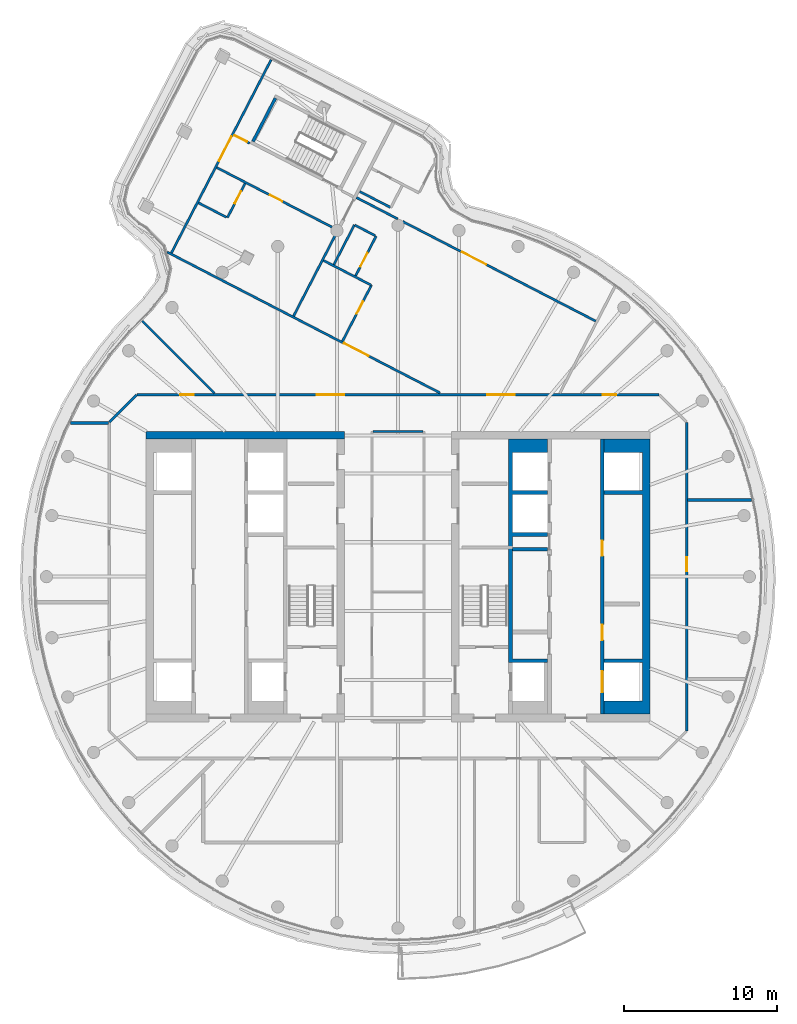
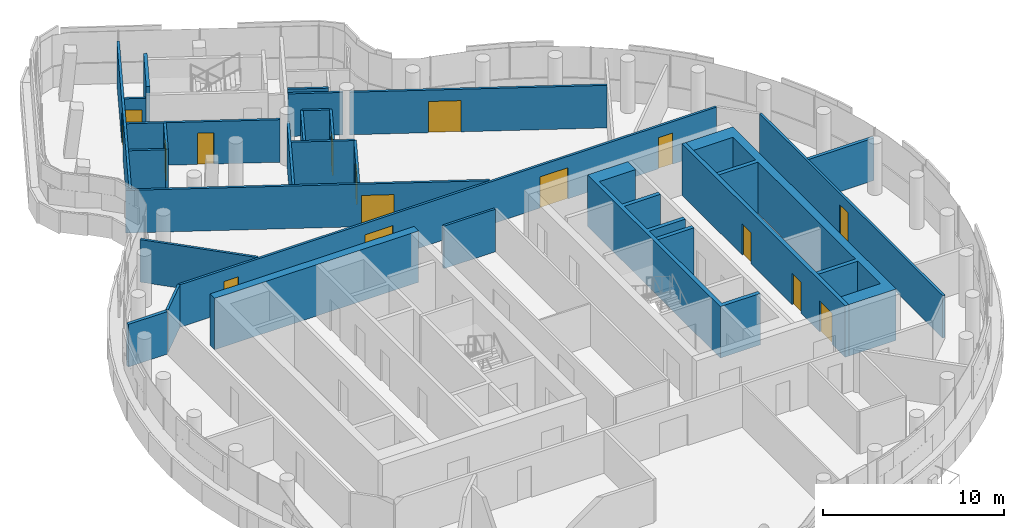
# One storey, part 15 of 21: 28 walls, 16 doors, 16 openings.
"""IFC4 building model written with IfcOpenShell, lengths in metres."""

from ifc_helpers import new_model, si_unit, direction, frame, frame_2d, origin, place, context, subcontext, project, spatial, polyline, rectangle, outline, extrude, material, layer, layer_set, type_object, element, fill, save


model = new_model("IFC4")

# Units and contexts
model_context = context("Model", 3, precision=1e-05, world=origin(), true_north=direction((0.0, 1.0)))
body_context = subcontext(model_context, "Body", "Model", "MODEL_VIEW")
ifc_project = project(units=[si_unit("LENGTHUNIT", "METRE"), si_unit("AREAUNIT", "SQUARE_METRE"), si_unit("VOLUMEUNIT", "CUBIC_METRE"), si_unit("PLANEANGLEUNIT", "RADIAN"), si_unit("MASSUNIT", "GRAM", prefix="KILO")], contexts=[model_context])

# Site, building, storey
site_placement = place(None, origin())
site = spatial("IfcSite", under=ifc_project, at=site_placement, CompositionType="ELEMENT")
building_placement = place(site_placement, origin())
building = spatial("IfcBuilding", under=site, at=building_placement, Name="Tamarind Cross Interchange Tower", CompositionType="ELEMENT")
storey_placement = place(building_placement, frame((0.0, 0.0, 260.39990234375)))
storey = spatial("IfcBuildingStorey", under=building, at=storey_placement, Name="L66", CompositionType="ELEMENT", Elevation=260.39990234375)

# Walls
ifc_material_1 = material(Name="Concrete C50", Category="concrete")
ifc_layer_1 = layer(ifc_material_1, 0.5)
ifc_layer_set_1 = layer_set([ifc_layer_1], Name="Concrete C50")
wall_type_1 = type_object("IfcWallType", Name="Core wall 500 mm Concrete C50", PredefinedType="SHEAR", material=ifc_layer_set_1)
wall_1_placement = place(storey_placement, frame((-16.5, 9.25, 0.0), z_axis=(0.0, 0.0, 1.0), x_axis=(1.0, 0.0, 0.0)))
element("IfcWall", 1, at=wall_1_placement, inside=storey, type_object=wall_type_1, Name="Core wall CWL-L66-W-NE", PredefinedType="SHEAR", context=body_context, shape_type="SweptSolid", body=[
    extrude(rectangle(XDim=13.0, YDim=0.5, at=frame_2d((6.5, 0.0))), origin(), (0.0, 0.0, 1.0), 3.460205078125),
])
wall_2_placement = place(storey_placement, origin())
element("IfcWall", 2, at=wall_2_placement, inside=storey, type_object=wall_type_1, Name="Core wall CWL-L66-E-A", PredefinedType="SHEAR", context=body_context, shape_type="SweptSolid", body=[
    extrude(outline(polyline([(13.5, -8.125), (13.5, -9.0), (16.0, -9.0), (16.5, -9.0), (16.5, 9.0), (16.0, 9.0), (13.5, 9.0), (13.5, 8.125), (16.0, 8.125), (16.0, 5.625), (13.5, 5.625), (13.5, 5.375), (16.0, 5.375), (16.0, -5.375), (13.5, -5.375), (13.5, -5.625), (16.0, -5.625), (16.0, -8.125), (13.5, -8.125)])), origin(), (0.0, 0.0, 1.0), 3.460205078125),
])
ifc_layer_2 = layer(ifc_material_1, 0.25)
ifc_layer_set_2 = layer_set([ifc_layer_2], Name="Concrete C50")
wall_type_2 = type_object("IfcWallType", Name="Core web wall 250 mm Concrete C50", PredefinedType="SHEAR", material=ifc_layer_set_2)
wall_3_placement = place(storey_placement, origin())
element("IfcWall", 3, at=wall_3_placement, inside=storey, type_object=wall_type_2, Name="Core wall CWL-L66-E-BN", PredefinedType="SHEAR", context=body_context, shape_type="SweptSolid", body=[
    extrude(outline(polyline([(9.800048828125, -5.375), (7.5, -5.375), (7.5, 2.625), (9.800048828125, 2.625), (9.800048828125, 2.875), (7.5, 2.875), (7.5, 5.375), (9.800048828125, 5.375), (9.800048828125, 5.625), (7.5, 5.625), (7.5, 8.125), (9.800048828125, 8.125), (9.800048828125, 9.0), (7.5, 9.0), (7.25, 9.0), (7.25, -5.625), (7.5, -5.625), (9.800048828125, -5.625), (9.800048828125, -5.375)])), origin(), (0.0, 0.0, 1.0), 3.460205078125),
])

# Wall, openings, doors
wall_4_placement = place(storey_placement, frame((13.375, -9.0, 0.0), z_axis=(0.0, 0.0, 1.0), x_axis=(0.0, 1.0, 0.0)))
wall_4 = element("IfcWall", 4, at=wall_4_placement, inside=storey, type_object=wall_type_2, Name="Core wall CWL-L66-E-LA", PredefinedType="SHEAR", context=body_context, shape_type="SweptSolid", body=[
    extrude(rectangle(XDim=18.0, YDim=0.25, at=frame_2d((9.0, 0.0))), origin(), (0.0, 0.0, 1.0), 3.460205078125),
])
opening_1_placement = place(wall_4_placement, frame((1.425048828125, 0.0, 0.0)))
opening_1 = element("IfcOpeningElement", 5, at=opening_1_placement, cuts=wall_4, Name="Opening LD13L66", PredefinedType="OPENING", context=body_context, shape_type="SweptSolid", body=[
    extrude(rectangle(XDim=1.39990234375, YDim=2.10009765625, at=frame_2d((0.699951171875, 1.050048828125))), frame((0.0, 0.135009765625, 0.0), z_axis=(0.0, -1.0, 0.0), x_axis=(1.0, 0.0, 0.0)), (0.0, 0.0, 1.0), 0.27001953125),
])
opening_2_placement = place(wall_4_placement, frame((4.85400390625, 0.0, 0.0)))
opening_2 = element("IfcOpeningElement", 6, at=opening_2_placement, cuts=wall_4, Name="Opening DCE9", PredefinedType="OPENING", context=body_context, shape_type="SweptSolid", body=[
    extrude(rectangle(XDim=1.0, YDim=2.10009765625, at=frame_2d((0.5, 1.050048828125))), frame((0.0, 0.135009765625, 0.0), z_axis=(0.0, -1.0, 0.0), x_axis=(1.0, 0.0, 0.0)), (0.0, 0.0, 1.0), 0.27001953125),
])
opening_3_placement = place(wall_4_placement, frame((10.35400390625, 0.0, 0.0)))
opening_3 = element("IfcOpeningElement", 7, at=opening_3_placement, cuts=wall_4, Name="Opening DCE10", PredefinedType="OPENING", context=body_context, shape_type="SweptSolid", body=[
    extrude(rectangle(XDim=1.0, YDim=2.10009765625, at=frame_2d((0.5, 1.050048828125))), frame((0.0, 0.135009765625, 0.0), z_axis=(0.0, -1.0, 0.0), x_axis=(1.0, 0.0, 0.0)), (0.0, 0.0, 1.0), 0.27001953125),
])
ifc_material_2 = material(Name="Steel, fire-resisting", Category="steel")
door_type_1 = type_object("IfcDoorType", Name="Core fire door 1000 x 2100 FD90", OperationType="SINGLE_SWING_LEFT", PredefinedType="DOOR", material=ifc_material_2)
door_1_placement = place(opening_2_placement, origin())
door_1 = element("IfcDoor", 8, at=door_1_placement, inside=storey, type_object=door_type_1, Name="L66 Hotel pantry door", OperationType="SINGLE_SWING_LEFT", OverallHeight=2.10009765625, OverallWidth=1.0, PredefinedType="DOOR", context=body_context, shape_type="SweptSolid", body=[
    extrude(rectangle(XDim=1.0, YDim=2.10009765625, at=frame_2d((0.5, 1.050048828125))), frame((0.0, 0.02490234375, 0.0), z_axis=(0.0, -1.0, 0.0), x_axis=(1.0, 0.0, 0.0)), (0.0, 0.0, 1.0), 0.050048828125),
])
fill(opening_2, door_1)
door_2_placement = place(opening_3_placement, origin())
door_2 = element("IfcDoor", 9, at=door_2_placement, inside=storey, type_object=door_type_1, Name="L66 Staff changing room door", OperationType="SINGLE_SWING_LEFT", OverallHeight=2.10009765625, OverallWidth=1.0, PredefinedType="DOOR", context=body_context, shape_type="SweptSolid", body=[
    extrude(rectangle(XDim=1.0, YDim=2.10009765625, at=frame_2d((0.5, 1.050048828125))), frame((0.0, 0.02490234375, 0.0), z_axis=(0.0, -1.0, 0.0), x_axis=(1.0, 0.0, 0.0)), (0.0, 0.0, 1.0), 0.050048828125),
])
fill(opening_3, door_2)
ifc_material_3 = material(Name="Stainless steel panel", Category="steel")
door_type_2 = type_object("IfcDoorType", Name="Lift landing door 1400 x 2100 E 120", OperationType="SLIDING_TO_LEFT", PredefinedType="DOOR", material=ifc_material_3)
door_3_placement = place(opening_1_placement, origin())
door_3 = element("IfcDoor", 10, at=door_3_placement, inside=storey, type_object=door_type_2, Name="L66 landing door LF13", OperationType="SLIDING_TO_LEFT", OverallHeight=2.10009765625, OverallWidth=1.39990234375, PredefinedType="DOOR", context=body_context, shape_type="SweptSolid", body=[
    extrude(rectangle(XDim=1.39990234375, YDim=2.10009765625, at=frame_2d((0.699951171875, 1.050048828125))), frame((0.0, 0.02490234375, 0.0), z_axis=(0.0, -1.0, 0.0), x_axis=(1.0, 0.0, 0.0)), (0.0, 0.0, 1.0), 0.050048828125),
])
fill(opening_1, door_3)

# Wall
ifc_material_4 = material(Name="Gypsum board partition on steel studs", Category="steel")
ifc_layer_3 = layer(ifc_material_4, 0.14990234375)
ifc_layer_set_3 = layer_set([ifc_layer_3], Name="Gypsum board partition on steel studs")
wall_type_3 = type_object("IfcWallType", Name="Partition 150 mm EI 120", PredefinedType="PARTITIONING", material=ifc_layer_set_3)
wall_5_placement = place(storey_placement, frame((-16.740478515625, 16.740478515625, 0.0), z_axis=(0.0, 0.0, 1.0), x_axis=(0.707106781187, -0.707106781187, 0.0)))
element("IfcWall", 11, at=wall_5_placement, inside=storey, type_object=wall_type_3, Name="Partition L66-002", PredefinedType="PARTITIONING", context=body_context, shape_type="SweptSolid", body=[
    extrude(rectangle(XDim=6.690673828125, YDim=0.14990234375, at=frame_2d((3.34521484375, 0.0))), origin(), (0.0, 0.0, 1.0), 2.864013671875),
])

# Wall, opening, door
wall_6_placement = place(storey_placement, frame((-15.098388671875, 21.24365234375, 0.0), z_axis=(0.0, 0.0, 1.0), x_axis=(0.888519040902, -0.458839747575, 0.0)))
wall_6 = element("IfcWall", 12, at=wall_6_placement, inside=storey, type_object=wall_type_3, Name="Partition L66-005", PredefinedType="PARTITIONING", context=body_context, shape_type="SweptSolid", body=[
    extrude(rectangle(XDim=20.093505859375, YDim=0.14990234375, at=frame_2d((10.046875, 0.0))), origin(), (0.0, 0.0, 1.0), 2.864013671875),
])
opening_4_placement = place(wall_6_placement, frame((13.017822265625, 0.0, 0.0)))
opening_4 = element("IfcOpeningElement", 13, at=opening_4_placement, cuts=wall_6, Name="Opening D01", PredefinedType="OPENING", context=body_context, shape_type="SweptSolid", body=[
    extrude(rectangle(XDim=1.800048828125, YDim=2.10009765625, at=frame_2d((0.89990234375, 1.050048828125))), frame((0.0, 0.0849609375, 0.0), z_axis=(0.0, -1.0, 0.0), x_axis=(1.0, 0.0, 0.0)), (0.0, 0.0, 1.0), 0.169921875),
])
ifc_material_5 = material(Name="Fire-resisting door set")
door_type_3 = type_object("IfcDoorType", Name="Interior door 1800 x 2100 FD60S", OperationType="DOUBLE_DOOR_SINGLE_SWING", PredefinedType="DOOR", material=ifc_material_5)
door_4_placement = place(opening_4_placement, origin())
door_4 = element("IfcDoor", 14, at=door_4_placement, inside=storey, type_object=door_type_3, Name="Door D01", OperationType="DOUBLE_DOOR_SINGLE_SWING", OverallHeight=2.10009765625, OverallWidth=1.800048828125, PredefinedType="DOOR", context=body_context, shape_type="SweptSolid", body=[
    extrude(rectangle(XDim=1.800048828125, YDim=2.10009765625, at=frame_2d((0.89990234375, 1.050048828125))), frame((0.0, 0.02490234375, 0.0), z_axis=(0.0, -1.0, 0.0), x_axis=(1.0, 0.0, 0.0)), (0.0, 0.0, 1.0), 0.050048828125),
])
fill(opening_4, door_4)

# Wall
wall_7_placement = place(storey_placement, frame((-13.05029296875, 24.462646484375, 0.0), z_axis=(0.0, 0.0, 1.0), x_axis=(0.888443709426, -0.458985593653, 0.0)))
element("IfcWall", 15, at=wall_7_placement, inside=storey, type_object=wall_type_3, Name="Partition L66-006", PredefinedType="PARTITIONING", context=body_context, shape_type="SweptSolid", body=[
    extrude(rectangle(XDim=2.050537109375, YDim=0.14990234375, at=frame_2d((1.025390625, 0.0))), origin(), (0.0, 0.0, 1.0), 2.864013671875),
])

# Wall, opening, door
wall_8_placement = place(storey_placement, frame((-11.857421875, 26.772705078125, 0.0), z_axis=(0.0, 0.0, 1.0), x_axis=(0.888435104215, -0.459002250102, 0.0)))
wall_8 = element("IfcWall", 16, at=wall_8_placement, inside=storey, type_object=wall_type_3, Name="Partition L66-007", PredefinedType="PARTITIONING", context=body_context, shape_type="SweptSolid", body=[
    extrude(rectangle(XDim=8.4794921875, YDim=0.14990234375, at=frame_2d((4.23974609375, 0.0))), origin(), (0.0, 0.0, 1.0), 2.864013671875),
])
opening_5_placement = place(wall_8_placement, frame((3.925537109375, 0.0, 0.0)))
opening_5 = element("IfcOpeningElement", 17, at=opening_5_placement, cuts=wall_8, Name="Opening D02", PredefinedType="OPENING", context=body_context, shape_type="SweptSolid", body=[
    extrude(rectangle(XDim=0.89990234375, YDim=2.10009765625, at=frame_2d((0.449951171875, 1.050048828125))), frame((0.0, 0.0849609375, 0.0), z_axis=(0.0, -1.0, 0.0), x_axis=(1.0, 0.0, 0.0)), (0.0, 0.0, 1.0), 0.169921875),
])
door_type_4 = type_object("IfcDoorType", Name="Interior door 900 x 2100 FD60S", OperationType="SINGLE_SWING_LEFT", PredefinedType="DOOR", material=ifc_material_5)
door_5_placement = place(opening_5_placement, frame((0.89990234375, 0.0, 0.0), z_axis=(0.0, 0.0, 1.0), x_axis=(-1.0, 0.0, 0.0)))
door_5 = element("IfcDoor", 18, at=door_5_placement, inside=storey, type_object=door_type_4, Name="Door D02", OperationType="SINGLE_SWING_RIGHT", OverallHeight=2.10009765625, OverallWidth=0.89990234375, PredefinedType="DOOR", context=body_context, shape_type="SweptSolid", body=[
    extrude(rectangle(XDim=0.89990234375, YDim=2.10009765625, at=frame_2d((0.449951171875, 1.050048828125))), frame((0.0, 0.02490234375, 0.0), z_axis=(0.0, -1.0, 0.0), x_axis=(1.0, 0.0, 0.0)), (0.0, 0.0, 1.0), 0.050048828125),
])
fill(opening_5, door_5)

wall_9_placement = place(storey_placement, frame((-10.75537109375, 28.904541015625, 0.0), z_axis=(0.0, 0.0, 1.0), x_axis=(0.888579996133, -0.458721691739, 0.0)))
wall_9 = element("IfcWall", 19, at=wall_9_placement, inside=storey, type_object=wall_type_3, Name="Partition L66-008", PredefinedType="PARTITIONING", context=body_context, shape_type="SweptSolid", body=[
    extrude(rectangle(XDim=1.18408203125, YDim=0.14990234375, at=frame_2d((0.592041015625, 0.0))), origin(), (0.0, 0.0, 1.0), 2.864013671875),
])
opening_6_placement = place(wall_9_placement, frame((0.074951171875, 0.0, 0.0)))
opening_6 = element("IfcOpeningElement", 20, at=opening_6_placement, cuts=wall_9, Name="Opening D03", PredefinedType="OPENING", context=body_context, shape_type="SweptSolid", body=[
    extrude(rectangle(XDim=0.89990234375, YDim=2.10009765625, at=frame_2d((0.449951171875, 1.050048828125))), frame((0.0, 0.0849609375, 0.0), z_axis=(0.0, -1.0, 0.0), x_axis=(1.0, 0.0, 0.0)), (0.0, 0.0, 1.0), 0.169921875),
])
door_6_placement = place(opening_6_placement, origin())
door_6 = element("IfcDoor", 21, at=door_6_placement, inside=storey, type_object=door_type_4, Name="Door D03", OperationType="SINGLE_SWING_RIGHT", OverallHeight=2.10009765625, OverallWidth=0.89990234375, PredefinedType="DOOR", context=body_context, shape_type="SweptSolid", body=[
    extrude(rectangle(XDim=0.89990234375, YDim=2.10009765625, at=frame_2d((0.449951171875, 1.050048828125))), frame((0.0, 0.02490234375, 0.0), z_axis=(0.0, -1.0, 0.0), x_axis=(1.0, 0.0, 0.0)), (0.0, 0.0, 1.0), 0.050048828125),
])
fill(opening_6, door_6)

# Walls
wall_10_placement = place(storey_placement, frame((-4.869384765625, 20.688720703125, 0.0), z_axis=(0.0, 0.0, 1.0), x_axis=(0.888427327324, -0.459017302575, 0.0)))
element("IfcWall", 22, at=wall_10_placement, inside=storey, type_object=wall_type_3, Name="Partition L66-010", PredefinedType="PARTITIONING", context=body_context, shape_type="SweptSolid", body=[
    extrude(rectangle(XDim=3.504638671875, YDim=0.14990234375, at=frame_2d((1.75244140625, 0.0))), origin(), (0.0, 0.0, 1.0), 2.864013671875),
])
wall_11_placement = place(storey_placement, frame((-2.831298828125, 23.01171875, 0.0), z_axis=(0.0, 0.0, 1.0), x_axis=(0.888612127858, -0.458659444713, 0.0)))
element("IfcWall", 23, at=wall_11_placement, inside=storey, type_object=wall_type_3, Name="Partition L66-011", PredefinedType="PARTITIONING", context=body_context, shape_type="SweptSolid", body=[
    extrude(rectangle(XDim=1.50537109375, YDim=0.14990234375, at=frame_2d((0.752685546875, 0.0))), origin(), (0.0, 0.0, 1.0), 2.864013671875),
])
wall_12_placement = place(storey_placement, frame((-2.709716796875, 24.805908203125, 0.0), z_axis=(0.0, 0.0, 1.0), x_axis=(0.888497288197, -0.458881868094, 0.0)))
element("IfcWall", 24, at=wall_12_placement, inside=storey, type_object=wall_type_3, Name="Partition L66-012", PredefinedType="PARTITIONING", context=body_context, shape_type="SweptSolid", body=[
    extrude(rectangle(XDim=3.044921875, YDim=0.14990234375, at=frame_2d((1.5224609375, 0.0))), origin(), (0.0, 0.0, 1.0), 2.864013671875),
])

# Wall, opening, door
wall_13_placement = place(storey_placement, frame((0.3173828125, 23.24267578125, 0.0), z_axis=(0.0, 0.0, 1.0), x_axis=(0.888531890229, -0.458814864675, 0.0)))
wall_13 = element("IfcWall", 25, at=wall_13_placement, inside=storey, type_object=wall_type_3, Name="Partition L66-013", PredefinedType="PARTITIONING", context=body_context, shape_type="SweptSolid", body=[
    extrude(rectangle(XDim=14.213134765625, YDim=0.14990234375, at=frame_2d((7.1064453125, 0.0))), origin(), (0.0, 0.0, 1.0), 2.864013671875),
])
opening_7_placement = place(wall_13_placement, frame((4.35009765625, 0.0, 0.0)))
opening_7 = element("IfcOpeningElement", 26, at=opening_7_placement, cuts=wall_13, Name="Opening D04", PredefinedType="OPENING", context=body_context, shape_type="SweptSolid", body=[
    extrude(rectangle(XDim=1.800048828125, YDim=2.10009765625, at=frame_2d((0.89990234375, 1.050048828125))), frame((0.0, 0.0849609375, 0.0), z_axis=(0.0, -1.0, 0.0), x_axis=(1.0, 0.0, 0.0)), (0.0, 0.0, 1.0), 0.169921875),
])
door_7_placement = place(opening_7_placement, origin())
door_7 = element("IfcDoor", 27, at=door_7_placement, inside=storey, type_object=door_type_3, Name="Door D04", OperationType="DOUBLE_DOOR_SINGLE_SWING", OverallHeight=2.10009765625, OverallWidth=1.800048828125, PredefinedType="DOOR", context=body_context, shape_type="SweptSolid", body=[
    extrude(rectangle(XDim=1.800048828125, YDim=2.10009765625, at=frame_2d((0.89990234375, 1.050048828125))), frame((0.0, 0.02490234375, 0.0), z_axis=(0.0, -1.0, 0.0), x_axis=(1.0, 0.0, 0.0)), (0.0, 0.0, 1.0), 0.050048828125),
])
fill(opening_7, door_7)

# Wall
wall_14_placement = place(storey_placement, frame((-2.502685546875, 25.205810546875, 0.0), z_axis=(0.0, 0.0, 1.0), x_axis=(0.888511975047, -0.458853429974, 0.0)))
element("IfcWall", 28, at=wall_14_placement, inside=storey, type_object=wall_type_3, Name="Partition L66-014", PredefinedType="PARTITIONING", context=body_context, shape_type="SweptSolid", body=[
    extrude(rectangle(XDim=2.274658203125, YDim=0.14990234375, at=frame_2d((1.13720703125, 0.0))), origin(), (0.0, 0.0, 1.0), 2.864013671875),
])

# Wall, openings, doors
wall_15_placement = place(storey_placement, frame((-17.06494140625, 11.89990234375, 0.0), z_axis=(0.0, 0.0, 1.0), x_axis=(1.0, 0.0, 0.0)))
wall_15 = element("IfcWall", 29, at=wall_15_placement, inside=storey, type_object=wall_type_3, Name="Partition L66-019", PredefinedType="PARTITIONING", context=body_context, shape_type="SweptSolid", body=[
    extrude(rectangle(XDim=34.1650390625, YDim=0.14990234375, at=frame_2d((17.08251953125, 0.0))), origin(), (0.0, 0.0, 1.0), 2.864013671875),
])
opening_8_placement = place(wall_15_placement, frame((22.909912109375, 0.0, 0.0)))
opening_8 = element("IfcOpeningElement", 30, at=opening_8_placement, cuts=wall_15, Name="Opening D11", PredefinedType="OPENING", context=body_context, shape_type="SweptSolid", body=[
    extrude(rectangle(XDim=1.800048828125, YDim=2.10009765625, at=frame_2d((0.89990234375, 1.050048828125))), frame((0.0, 0.0849609375, 0.0), z_axis=(0.0, -1.0, 0.0), x_axis=(1.0, 0.0, 0.0)), (0.0, 0.0, 1.0), 0.169921875),
])
opening_9_placement = place(wall_15_placement, frame((30.465087890625, 0.0, 0.0)))
opening_9 = element("IfcOpeningElement", 31, at=opening_9_placement, cuts=wall_15, Name="Opening D12", PredefinedType="OPENING", context=body_context, shape_type="SweptSolid", body=[
    extrude(rectangle(XDim=0.89990234375, YDim=2.10009765625, at=frame_2d((0.449951171875, 1.050048828125))), frame((0.0, 0.0849609375, 0.0), z_axis=(0.0, -1.0, 0.0), x_axis=(1.0, 0.0, 0.0)), (0.0, 0.0, 1.0), 0.169921875),
])
opening_10_placement = place(wall_15_placement, frame((2.81494140625, 0.0, 0.0)))
opening_10 = element("IfcOpeningElement", 32, at=opening_10_placement, cuts=wall_15, Name="Opening D13", PredefinedType="OPENING", context=body_context, shape_type="SweptSolid", body=[
    extrude(rectangle(XDim=0.89990234375, YDim=2.10009765625, at=frame_2d((0.449951171875, 1.050048828125))), frame((0.0, 0.0849609375, 0.0), z_axis=(0.0, -1.0, 0.0), x_axis=(1.0, 0.0, 0.0)), (0.0, 0.0, 1.0), 0.169921875),
])
opening_11_placement = place(wall_15_placement, frame((11.764892578125, 0.0, 0.0)))
opening_11 = element("IfcOpeningElement", 33, at=opening_11_placement, cuts=wall_15, Name="Opening D14", PredefinedType="OPENING", context=body_context, shape_type="SweptSolid", body=[
    extrude(rectangle(XDim=1.800048828125, YDim=2.10009765625, at=frame_2d((0.89990234375, 1.050048828125))), frame((0.0, 0.0849609375, 0.0), z_axis=(0.0, -1.0, 0.0), x_axis=(1.0, 0.0, 0.0)), (0.0, 0.0, 1.0), 0.169921875),
])
door_8_placement = place(opening_8_placement, frame((1.800048828125, 0.0, 0.0), z_axis=(0.0, 0.0, 1.0), x_axis=(-1.0, 0.0, 0.0)))
door_8 = element("IfcDoor", 34, at=door_8_placement, inside=storey, type_object=door_type_3, Name="Door D11", OperationType="DOUBLE_DOOR_SINGLE_SWING", OverallHeight=2.10009765625, OverallWidth=1.800048828125, PredefinedType="DOOR", context=body_context, shape_type="SweptSolid", body=[
    extrude(rectangle(XDim=1.800048828125, YDim=2.10009765625, at=frame_2d((0.89990234375, 1.050048828125))), frame((0.0, 0.02490234375, 0.0), z_axis=(0.0, -1.0, 0.0), x_axis=(1.0, 0.0, 0.0)), (0.0, 0.0, 1.0), 0.050048828125),
])
fill(opening_8, door_8)
door_9_placement = place(opening_11_placement, frame((1.800048828125, 0.0, 0.0), z_axis=(0.0, 0.0, 1.0), x_axis=(-1.0, 0.0, 0.0)))
door_9 = element("IfcDoor", 35, at=door_9_placement, inside=storey, type_object=door_type_3, Name="Door D14", OperationType="DOUBLE_DOOR_SINGLE_SWING", OverallHeight=2.10009765625, OverallWidth=1.800048828125, PredefinedType="DOOR", context=body_context, shape_type="SweptSolid", body=[
    extrude(rectangle(XDim=1.800048828125, YDim=2.10009765625, at=frame_2d((0.89990234375, 1.050048828125))), frame((0.0, 0.02490234375, 0.0), z_axis=(0.0, -1.0, 0.0), x_axis=(1.0, 0.0, 0.0)), (0.0, 0.0, 1.0), 0.050048828125),
])
fill(opening_11, door_9)
door_10_placement = place(opening_9_placement, origin())
door_10 = element("IfcDoor", 36, at=door_10_placement, inside=storey, type_object=door_type_4, Name="Door D12", OperationType="SINGLE_SWING_LEFT", OverallHeight=2.10009765625, OverallWidth=0.89990234375, PredefinedType="DOOR", context=body_context, shape_type="SweptSolid", body=[
    extrude(rectangle(XDim=0.89990234375, YDim=2.10009765625, at=frame_2d((0.449951171875, 1.050048828125))), frame((0.0, 0.02490234375, 0.0), z_axis=(0.0, -1.0, 0.0), x_axis=(1.0, 0.0, 0.0)), (0.0, 0.0, 1.0), 0.050048828125),
])
fill(opening_9, door_10)
door_11_placement = place(opening_10_placement, origin())
door_11 = element("IfcDoor", 37, at=door_11_placement, inside=storey, type_object=door_type_4, Name="Door D13", OperationType="SINGLE_SWING_RIGHT", OverallHeight=2.10009765625, OverallWidth=0.89990234375, PredefinedType="DOOR", context=body_context, shape_type="SweptSolid", body=[
    extrude(rectangle(XDim=0.89990234375, YDim=2.10009765625, at=frame_2d((0.449951171875, 1.050048828125))), frame((0.0, 0.02490234375, 0.0), z_axis=(0.0, -1.0, 0.0), x_axis=(1.0, 0.0, 0.0)), (0.0, 0.0, 1.0), 0.050048828125),
])
fill(opening_10, door_11)

# Walls
wall_16_placement = place(storey_placement, frame((-1.639892578125, 9.5, 0.0), z_axis=(0.0, 0.0, 1.0), x_axis=(1.0, 0.0, 0.0)))
element("IfcWall", 38, at=wall_16_placement, inside=storey, type_object=wall_type_3, Name="Partition L66-024", PredefinedType="PARTITIONING", context=body_context, shape_type="SweptSolid", body=[
    extrude(rectangle(XDim=3.27978515625, YDim=0.14990234375, at=frame_2d((1.639892578125, 0.0))), origin(), (0.0, 0.0, 1.0), 2.864013671875),
])
wall_17_placement = place(storey_placement, frame((-18.885986328125, 10.114013671875, 0.0), z_axis=(0.0, 0.0, 1.0), x_axis=(0.707106781187, 0.707106781187, 0.0)))
element("IfcWall", 39, at=wall_17_placement, inside=storey, type_object=wall_type_3, Name="Partition L66-027", PredefinedType="PARTITIONING", context=body_context, shape_type="SweptSolid", body=[
    extrude(rectangle(XDim=2.525634765625, YDim=0.14990234375, at=frame_2d((1.2626953125, 0.0))), origin(), (0.0, 0.0, 1.0), 2.864013671875),
])

# Wall, opening, door
wall_18_placement = place(storey_placement, frame((-14.8232421875, 21.191162109375, 0.0), z_axis=(0.0, 0.0, 1.0), x_axis=(0.458646418676, 0.888618851159, 0.0)))
wall_18 = element("IfcWall", 40, at=wall_18_placement, inside=storey, type_object=wall_type_3, Name="Partition L66-031", PredefinedType="PARTITIONING", context=body_context, shape_type="SweptSolid", body=[
    extrude(rectangle(XDim=14.218994140625, YDim=0.14990234375, at=frame_2d((7.109375, 0.0))), origin(), (0.0, 0.0, 1.0), 2.864013671875),
])
opening_12_placement = place(wall_18_placement, frame((6.770263671875, 0.0, 0.0)))
opening_12 = element("IfcOpeningElement", 41, at=opening_12_placement, cuts=wall_18, Name="Opening D15", PredefinedType="OPENING", context=body_context, shape_type="SweptSolid", body=[
    extrude(rectangle(XDim=1.800048828125, YDim=2.10009765625, at=frame_2d((0.89990234375, 1.050048828125))), frame((0.0, 0.0849609375, 0.0), z_axis=(0.0, -1.0, 0.0), x_axis=(1.0, 0.0, 0.0)), (0.0, 0.0, 1.0), 0.169921875),
])
door_12_placement = place(opening_12_placement, origin())
door_12 = element("IfcDoor", 42, at=door_12_placement, inside=storey, type_object=door_type_3, Name="Door D15", OperationType="DOUBLE_DOOR_SINGLE_SWING", OverallHeight=2.10009765625, OverallWidth=1.800048828125, PredefinedType="DOOR", context=body_context, shape_type="SweptSolid", body=[
    extrude(rectangle(XDim=1.800048828125, YDim=2.10009765625, at=frame_2d((0.89990234375, 1.050048828125))), frame((0.0, 0.02490234375, 0.0), z_axis=(0.0, -1.0, 0.0), x_axis=(1.0, 0.0, 0.0)), (0.0, 0.0, 1.0), 0.050048828125),
])
fill(opening_12, door_12)

wall_19_placement = place(storey_placement, frame((-11.162109375, 23.487060546875, 0.0), z_axis=(0.0, 0.0, 1.0), x_axis=(0.458894122505, 0.88849095906, 0.0)))
wall_19 = element("IfcWall", 43, at=wall_19_placement, inside=storey, type_object=wall_type_3, Name="Partition L66-032", PredefinedType="PARTITIONING", context=body_context, shape_type="SweptSolid", body=[
    extrude(rectangle(XDim=2.52490234375, YDim=0.14990234375, at=frame_2d((1.262451171875, 0.0))), origin(), (0.0, 0.0, 1.0), 2.864013671875),
])
opening_13_placement = place(wall_19_placement, frame((1.050048828125, 0.0, 0.0)))
opening_13 = element("IfcOpeningElement", 44, at=opening_13_placement, cuts=wall_19, Name="Opening D16", PredefinedType="OPENING", context=body_context, shape_type="SweptSolid", body=[
    extrude(rectangle(XDim=0.89990234375, YDim=2.10009765625, at=frame_2d((0.449951171875, 1.050048828125))), frame((0.0, 0.0849609375, 0.0), z_axis=(0.0, -1.0, 0.0), x_axis=(1.0, 0.0, 0.0)), (0.0, 0.0, 1.0), 0.169921875),
])
door_13_placement = place(opening_13_placement, origin())
door_13 = element("IfcDoor", 45, at=door_13_placement, inside=storey, type_object=door_type_4, Name="Door D16", OperationType="SINGLE_SWING_LEFT", OverallHeight=2.10009765625, OverallWidth=0.89990234375, PredefinedType="DOOR", context=body_context, shape_type="SweptSolid", body=[
    extrude(rectangle(XDim=0.89990234375, YDim=2.10009765625, at=frame_2d((0.449951171875, 1.050048828125))), frame((0.0, 0.02490234375, 0.0), z_axis=(0.0, -1.0, 0.0), x_axis=(1.0, 0.0, 0.0)), (0.0, 0.0, 1.0), 0.050048828125),
])
fill(opening_13, door_13)

# Walls
wall_20_placement = place(storey_placement, frame((-6.827392578125, 17.06201171875, 0.0), z_axis=(0.0, 0.0, 1.0), x_axis=(0.459003045801, 0.888434693123, 0.0)))
element("IfcWall", 46, at=wall_20_placement, inside=storey, type_object=wall_type_3, Name="Partition L66-033", PredefinedType="PARTITIONING", context=body_context, shape_type="SweptSolid", body=[
    extrude(rectangle(XDim=6.04345703125, YDim=0.14990234375, at=frame_2d((3.021728515625, 0.0))), origin(), (0.0, 0.0, 1.0), 2.864013671875),
])
wall_21_placement = place(storey_placement, frame((-4.190673828125, 20.422607421875, 0.0), z_axis=(0.0, 0.0, 1.0), x_axis=(0.458764133675, 0.888558084569, 0.0)))
element("IfcWall", 47, at=wall_21_placement, inside=storey, type_object=wall_type_3, Name="Partition L66-035", PredefinedType="PARTITIONING", context=body_context, shape_type="SweptSolid", body=[
    extrude(rectangle(XDim=2.92431640625, YDim=0.14990234375, at=frame_2d((1.462158203125, 0.0))), origin(), (0.0, 0.0, 1.0), 2.864013671875),
])

# Wall, opening, door
wall_22_placement = place(storey_placement, frame((-3.62841796875, 15.41015625, 0.0), z_axis=(0.0, 0.0, 1.0), x_axis=(0.458813471037, 0.888532609866, 0.0)))
wall_22 = element("IfcWall", 48, at=wall_22_placement, inside=storey, type_object=wall_type_3, Name="Partition L66-036", PredefinedType="PARTITIONING", context=body_context, shape_type="SweptSolid", body=[
    extrude(rectangle(XDim=4.1201171875, YDim=0.14990234375, at=frame_2d((2.06005859375, 0.0))), origin(), (0.0, 0.0, 1.0), 2.864013671875),
])
opening_14_placement = place(wall_22_placement, frame((2.02001953125, 0.0, 0.0)))
opening_14 = element("IfcOpeningElement", 49, at=opening_14_placement, cuts=wall_22, Name="Opening D18", PredefinedType="OPENING", context=body_context, shape_type="SweptSolid", body=[
    extrude(rectangle(XDim=0.89990234375, YDim=2.10009765625, at=frame_2d((0.449951171875, 1.050048828125))), frame((0.0, 0.0849609375, 0.0), z_axis=(0.0, -1.0, 0.0), x_axis=(1.0, 0.0, 0.0)), (0.0, 0.0, 1.0), 0.169921875),
])
door_14_placement = place(opening_14_placement, origin())
door_14 = element("IfcDoor", 50, at=door_14_placement, inside=storey, type_object=door_type_4, Name="Door D18", OperationType="SINGLE_SWING_LEFT", OverallHeight=2.10009765625, OverallWidth=0.89990234375, PredefinedType="DOOR", context=body_context, shape_type="SweptSolid", body=[
    extrude(rectangle(XDim=0.89990234375, YDim=2.10009765625, at=frame_2d((0.449951171875, 1.050048828125))), frame((0.0, 0.02490234375, 0.0), z_axis=(0.0, -1.0, 0.0), x_axis=(1.0, 0.0, 0.0)), (0.0, 0.0, 1.0), 0.050048828125),
])
fill(opening_14, door_14)

wall_23_placement = place(storey_placement, frame((-2.76953125, 19.688720703125, 0.0), z_axis=(0.0, 0.0, 1.0), x_axis=(0.459027738639, 0.888421935321, 0.0)))
wall_23 = element("IfcWall", 51, at=wall_23_placement, inside=storey, type_object=wall_type_3, Name="Partition L66-038", PredefinedType="PARTITIONING", context=body_context, shape_type="SweptSolid", body=[
    extrude(rectangle(XDim=2.9248046875, YDim=0.14990234375, at=frame_2d((1.46240234375, 0.0))), origin(), (0.0, 0.0, 1.0), 2.864013671875),
])
opening_15_placement = place(wall_23_placement, frame((0.675048828125, 0.0, 0.0)))
opening_15 = element("IfcOpeningElement", 52, at=opening_15_placement, cuts=wall_23, Name="Opening D20", PredefinedType="OPENING", context=body_context, shape_type="SweptSolid", body=[
    extrude(rectangle(XDim=1.0, YDim=2.10009765625, at=frame_2d((0.5, 1.050048828125))), frame((0.0, 0.0849609375, 0.0), z_axis=(0.0, -1.0, 0.0), x_axis=(1.0, 0.0, 0.0)), (0.0, 0.0, 1.0), 0.169921875),
])
door_type_5 = type_object("IfcDoorType", Name="Interior door 1000 x 2100 FD60S", OperationType="SINGLE_SWING_LEFT", PredefinedType="DOOR", material=ifc_material_5)
door_15_placement = place(opening_15_placement, origin())
door_15 = element("IfcDoor", 53, at=door_15_placement, inside=storey, type_object=door_type_5, Name="Door D20", OperationType="SINGLE_SWING_RIGHT", OverallHeight=2.10009765625, OverallWidth=1.0, PredefinedType="DOOR", context=body_context, shape_type="SweptSolid", body=[
    extrude(rectangle(XDim=1.0, YDim=2.10009765625, at=frame_2d((0.5, 1.050048828125))), frame((0.0, 0.02490234375, 0.0), z_axis=(0.0, -1.0, 0.0), x_axis=(1.0, 0.0, 0.0)), (0.0, 0.0, 1.0), 0.050048828125),
])
fill(opening_15, door_15)

wall_24_placement = place(storey_placement, frame((18.89990234375, -10.10009765625, 0.0), z_axis=(0.0, 0.0, 1.0), x_axis=(0.0, 1.0, 0.0)))
wall_24 = element("IfcWall", 54, at=wall_24_placement, inside=storey, type_object=wall_type_3, Name="Partition L66-049", PredefinedType="PARTITIONING", context=body_context, shape_type="SweptSolid", body=[
    extrude(rectangle(XDim=20.2001953125, YDim=0.14990234375, at=frame_2d((10.10009765625, 0.0))), origin(), (0.0, 0.0, 1.0), 2.864013671875),
])
opening_16_placement = place(wall_24_placement, frame((10.4541015625, 0.0, 0.0)))
opening_16 = element("IfcOpeningElement", 55, at=opening_16_placement, cuts=wall_24, Name="Opening D25", PredefinedType="OPENING", context=body_context, shape_type="SweptSolid", body=[
    extrude(rectangle(XDim=0.89990234375, YDim=2.10009765625, at=frame_2d((0.449951171875, 1.050048828125))), frame((0.0, 0.0849609375, 0.0), z_axis=(0.0, -1.0, 0.0), x_axis=(1.0, 0.0, 0.0)), (0.0, 0.0, 1.0), 0.169921875),
])
door_16_placement = place(opening_16_placement, frame((0.89990234375, 0.0, 0.0), z_axis=(0.0, 0.0, 1.0), x_axis=(-1.0, 0.0, 0.0)))
door_16 = element("IfcDoor", 56, at=door_16_placement, inside=storey, type_object=door_type_4, Name="Door D25", OperationType="SINGLE_SWING_RIGHT", OverallHeight=2.10009765625, OverallWidth=0.89990234375, PredefinedType="DOOR", context=body_context, shape_type="SweptSolid", body=[
    extrude(rectangle(XDim=0.89990234375, YDim=2.10009765625, at=frame_2d((0.449951171875, 1.050048828125))), frame((0.0, 0.02490234375, 0.0), z_axis=(0.0, -1.0, 0.0), x_axis=(1.0, 0.0, 0.0)), (0.0, 0.0, 1.0), 0.050048828125),
])
fill(opening_16, door_16)

# Walls
ifc_layer_4 = layer(ifc_material_4, 0.199951171875)
ifc_layer_set_4 = layer_set([ifc_layer_4], Name="Gypsum board partition on steel studs")
wall_type_4 = type_object("IfcWallType", Name="Partition 200 mm EI 180", PredefinedType="PARTITIONING", material=ifc_layer_set_4)
wall_25_placement = place(storey_placement, frame((-21.439697265625, 10.044921875, 0.0), z_axis=(0.0, 0.0, 1.0), x_axis=(1.0, 0.0, 0.0)))
element("IfcWall", 57, at=wall_25_placement, inside=storey, type_object=wall_type_4, Name="Partition L66-017", PredefinedType="PARTITIONING", context=body_context, shape_type="SweptSolid", body=[
    extrude(rectangle(XDim=2.484619140625, YDim=0.199951171875, at=frame_2d((1.2421875, 0.0))), origin(), (0.0, 0.0, 1.0), 2.864013671875),
])
wall_26_placement = place(storey_placement, frame((18.955078125, 5.02197265625, 0.0), z_axis=(0.0, 0.0, 1.0), x_axis=(1.0, 0.0, 0.0)))
element("IfcWall", 58, at=wall_26_placement, inside=storey, type_object=wall_type_4, Name="Partition L66-026", PredefinedType="PARTITIONING", context=body_context, shape_type="SweptSolid", body=[
    extrude(rectangle(XDim=4.1806640625, YDim=0.199951171875, at=frame_2d((2.09033203125, 0.0))), origin(), (0.0, 0.0, 1.0), 2.864013671875),
])
ifc_material_6 = material(Name="Concrete C40", Category="concrete")
ifc_layer_5 = layer(ifc_material_6, 0.25)
ifc_layer_set_5 = layer_set([ifc_layer_5], Name="Concrete C40")
wall_type_5 = type_object("IfcWallType", Name="Shaft and lobby wall 250 mm Concrete C40", PredefinedType="PARTITIONING", material=ifc_layer_set_5)
wall_27_placement = place(storey_placement, frame((9.800048828125, 1.7919921875, 0.0), z_axis=(0.0, 0.0, 1.0), x_axis=(-1.0, 0.0, 0.0)))
element("IfcWall", 59, at=wall_27_placement, inside=storey, type_object=wall_type_5, Name="Shaft wall CWL-L66-E-FPB3", PredefinedType="PARTITIONING", context=body_context, shape_type="SweptSolid", body=[
    extrude(rectangle(XDim=2.300048828125, YDim=0.25, at=frame_2d((1.14990234375, 0.0))), origin(), (0.0, 0.0, 1.0), 3.460205078125),
])
ifc_layer_6 = layer(ifc_material_6, 0.199951171875)
ifc_layer_set_6 = layer_set([ifc_layer_6], Name="Concrete C40")
wall_type_6 = type_object("IfcWallType", Name="Stair shaft wall 200 mm Concrete C40", PredefinedType="SHEAR", material=ifc_layer_set_6)
wall_28_placement = place(storey_placement, frame((0.0, 0.0, -0.139892578125)))
element("IfcWall", 60, at=wall_28_placement, inside=storey, type_object=wall_type_6, Name="Core wall CWL-L66-ST4-CF", PredefinedType="SHEAR", context=body_context, shape_type="SweptSolid", body=[
    extrude(outline(polyline([(-7.9296875, 31.27197265625), (-8.107421875, 31.36376953125), (-9.57568359375, 28.5205078125), (-9.39794921875, 28.4287109375), (-7.9296875, 31.27197265625)])), origin(), (0.0, 0.0, 1.0), 3.60009765625),
])

save(model, "model.ifc")
